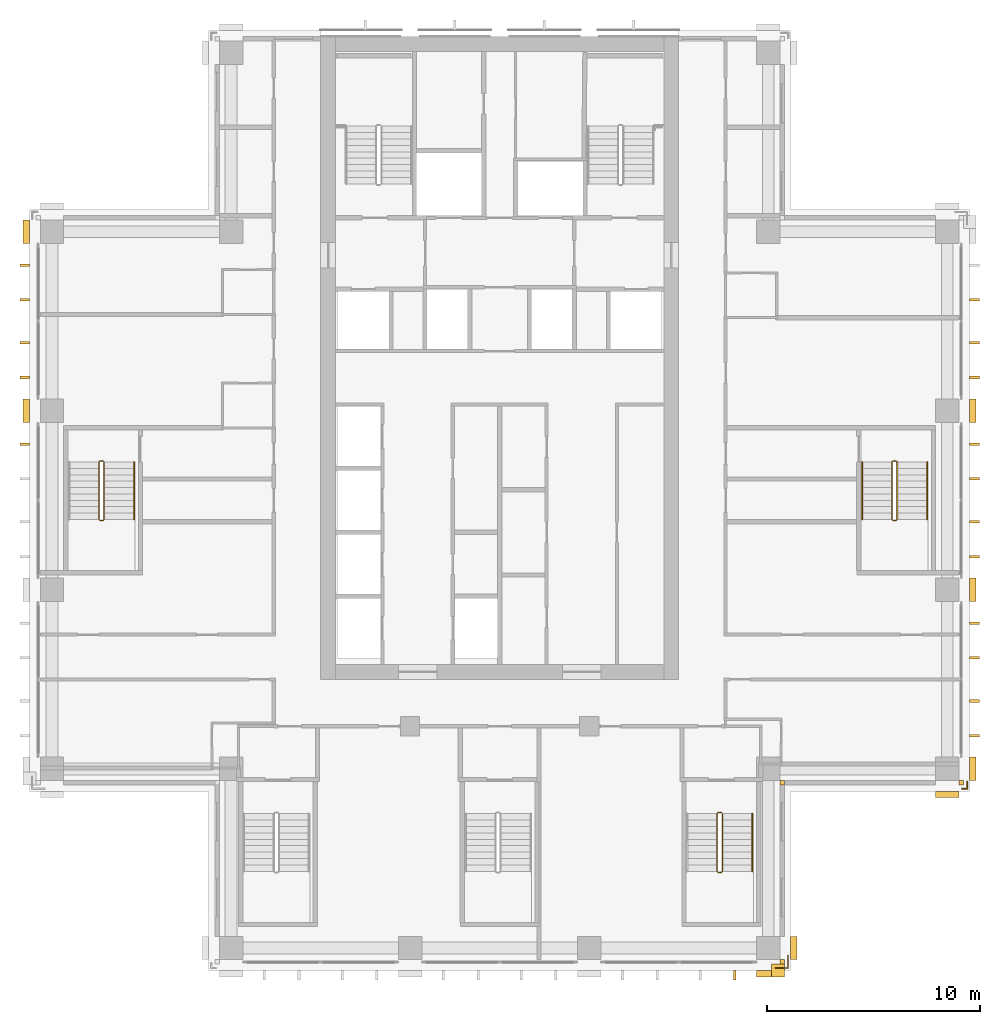
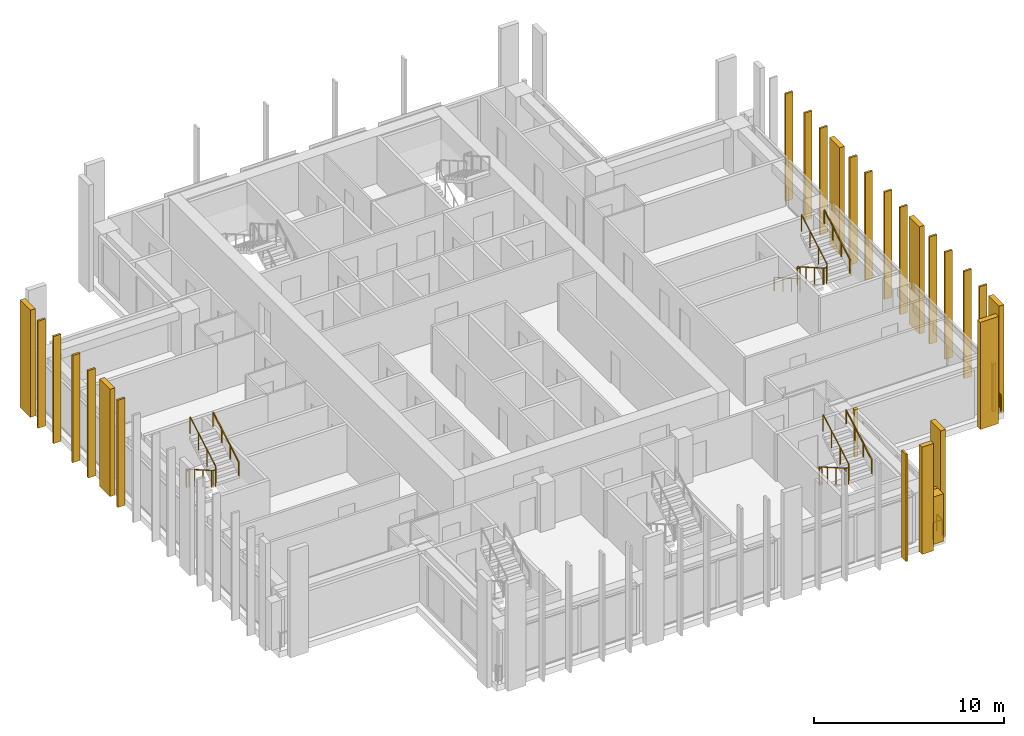
# One storey, part 16 of 17: 29 coverings, 9 railings.
"""IFC4 building model written with IfcOpenShell, lengths in metres."""

from ifc_helpers import new_model, si_unit, direction, frame, origin, origin_2d, place, context, subcontext, project, spatial, polyline, rectangle, outline, extrude, material, layer, layer_set, type_object, element, save


model = new_model("IFC4")

# Units and contexts
model_context = context("Model", 3, precision=1e-05, world=origin(), true_north=direction((0.0, 1.0)))
body_context = subcontext(model_context, "Body", "Model", "MODEL_VIEW")
ifc_project = project(units=[si_unit("LENGTHUNIT", "METRE"), si_unit("AREAUNIT", "SQUARE_METRE"), si_unit("VOLUMEUNIT", "CUBIC_METRE"), si_unit("PLANEANGLEUNIT", "RADIAN"), si_unit("MASSUNIT", "GRAM", prefix="KILO")], contexts=[model_context])

# Site, building, storey
site_placement = place(None, origin())
site = spatial("IfcSite", under=ifc_project, at=site_placement, CompositionType="ELEMENT")
building_placement = place(site_placement, origin())
building = spatial("IfcBuilding", under=site, at=building_placement, Name="Vermilion Ogive Tower", CompositionType="ELEMENT")
storey_placement = place(building_placement, frame((0.0, 0.0, 157.25)))
storey = spatial("IfcBuildingStorey", under=building, at=storey_placement, Name="L40", CompositionType="ELEMENT", Elevation=157.25)

# Coverings
ifc_material_1 = material(Name="Glazed ceramic screen")
ifc_layer = layer(ifc_material_1, 0.14990234375)
ifc_layer_set = layer_set([ifc_layer], Name="Ceramic solar screen fin")
covering_type_1 = type_object("IfcCoveringType", Name="Ceramic solar screen fin", PredefinedType="CLADDING", material=ifc_layer_set)
covering_1_placement = place(storey_placement, frame((0.0, 0.0, -0.39990234375)))
element("IfcCovering", 1, at=covering_1_placement, inside=storey, type_object=covering_type_1, Name="Solar screen blade S022", PredefinedType="CLADDING", context=body_context, shape_type="SweptSolid", body=[
    extrude(outline(polyline([(10.9775390625, -22.5), (11.097412109375, -22.5), (11.097412109375, -22.050048828125), (10.9775390625, -22.050048828125), (10.9775390625, -22.5)])), origin(), (0.0, 0.0, 1.0), 6.89990234375),
])
covering_2_placement = place(storey_placement, frame((0.0, 0.0, -0.39990234375)))
element("IfcCovering", 2, at=covering_2_placement, inside=storey, type_object=covering_type_1, Name="Solar screen blade E971", PredefinedType="CLADDING", context=body_context, shape_type="SweptSolid", body=[
    extrude(outline(polyline([(22.5, -11.097412109375), (22.5, -10.9775390625), (22.050048828125, -10.9775390625), (22.050048828125, -11.097412109375), (22.5, -11.097412109375)])), origin(), (0.0, 0.0, 1.0), 6.89990234375),
])
covering_3_placement = place(storey_placement, frame((0.0, 0.0, -0.39990234375)))
element("IfcCovering", 3, at=covering_3_placement, inside=storey, type_object=covering_type_1, Name="Solar screen blade E972", PredefinedType="CLADDING", context=body_context, shape_type="SweptSolid", body=[
    extrude(outline(polyline([(22.5, -9.472412109375), (22.5, -9.3525390625), (22.050048828125, -9.3525390625), (22.050048828125, -9.472412109375), (22.5, -9.472412109375)])), origin(), (0.0, 0.0, 1.0), 6.89990234375),
])
covering_4_placement = place(storey_placement, frame((0.0, 0.0, -0.39990234375)))
element("IfcCovering", 4, at=covering_4_placement, inside=storey, type_object=covering_type_1, Name="Solar screen blade E981", PredefinedType="CLADDING", context=body_context, shape_type="SweptSolid", body=[
    extrude(outline(polyline([(22.5, -7.447509765625), (22.5, -7.327392578125), (22.050048828125, -7.327392578125), (22.050048828125, -7.447509765625), (22.5, -7.447509765625)])), origin(), (0.0, 0.0, 1.0), 6.89990234375),
])
covering_5_placement = place(storey_placement, frame((0.0, 0.0, -0.39990234375)))
element("IfcCovering", 5, at=covering_5_placement, inside=storey, type_object=covering_type_1, Name="Solar screen blade E982", PredefinedType="CLADDING", context=body_context, shape_type="SweptSolid", body=[
    extrude(outline(polyline([(22.5, -5.822509765625), (22.5, -5.702392578125), (22.050048828125, -5.702392578125), (22.050048828125, -5.822509765625), (22.5, -5.822509765625)])), origin(), (0.0, 0.0, 1.0), 6.89990234375),
])
covering_6_placement = place(storey_placement, frame((0.0, 0.0, -0.39990234375)))
element("IfcCovering", 6, at=covering_6_placement, inside=storey, type_object=covering_type_1, Name="Solar screen blade E991", PredefinedType="CLADDING", context=body_context, shape_type="SweptSolid", body=[
    extrude(outline(polyline([(22.5, -2.697509765625), (22.5, -2.577392578125), (22.050048828125, -2.577392578125), (22.050048828125, -2.697509765625), (22.5, -2.697509765625)])), origin(), (0.0, 0.0, 1.0), 6.89990234375),
])
covering_7_placement = place(storey_placement, frame((0.0, 0.0, -0.39990234375)))
element("IfcCovering", 7, at=covering_7_placement, inside=storey, type_object=covering_type_1, Name="Solar screen blade E992", PredefinedType="CLADDING", context=body_context, shape_type="SweptSolid", body=[
    extrude(outline(polyline([(22.5, -1.072509765625), (22.5, -0.952392578125), (22.050048828125, -0.952392578125), (22.050048828125, -1.072509765625), (22.5, -1.072509765625)])), origin(), (0.0, 0.0, 1.0), 6.89990234375),
])
covering_8_placement = place(storey_placement, frame((0.0, 0.0, -0.39990234375)))
element("IfcCovering", 8, at=covering_8_placement, inside=storey, type_object=covering_type_1, Name="Solar screen blade E001", PredefinedType="CLADDING", context=body_context, shape_type="SweptSolid", body=[
    extrude(outline(polyline([(22.5, 0.952392578125), (22.5, 1.072509765625), (22.050048828125, 1.072509765625), (22.050048828125, 0.952392578125), (22.5, 0.952392578125)])), origin(), (0.0, 0.0, 1.0), 6.89990234375),
])
covering_9_placement = place(storey_placement, frame((0.0, 0.0, -0.39990234375)))
element("IfcCovering", 9, at=covering_9_placement, inside=storey, type_object=covering_type_1, Name="Solar screen blade E002", PredefinedType="CLADDING", context=body_context, shape_type="SweptSolid", body=[
    extrude(outline(polyline([(22.5, 2.577392578125), (22.5, 2.697509765625), (22.050048828125, 2.697509765625), (22.050048828125, 2.577392578125), (22.5, 2.577392578125)])), origin(), (0.0, 0.0, 1.0), 6.89990234375),
])
covering_10_placement = place(storey_placement, frame((0.0, 0.0, -0.39990234375)))
element("IfcCovering", 10, at=covering_10_placement, inside=storey, type_object=covering_type_1, Name="Solar screen blade E011", PredefinedType="CLADDING", context=body_context, shape_type="SweptSolid", body=[
    extrude(outline(polyline([(22.5, 5.702392578125), (22.5, 5.822509765625), (22.050048828125, 5.822509765625), (22.050048828125, 5.702392578125), (22.5, 5.702392578125)])), origin(), (0.0, 0.0, 1.0), 6.89990234375),
])
covering_11_placement = place(storey_placement, frame((0.0, 0.0, -0.39990234375)))
element("IfcCovering", 11, at=covering_11_placement, inside=storey, type_object=covering_type_1, Name="Solar screen blade E012", PredefinedType="CLADDING", context=body_context, shape_type="SweptSolid", body=[
    extrude(outline(polyline([(22.5, 7.327392578125), (22.5, 7.447509765625), (22.050048828125, 7.447509765625), (22.050048828125, 7.327392578125), (22.5, 7.327392578125)])), origin(), (0.0, 0.0, 1.0), 6.89990234375),
])
covering_12_placement = place(storey_placement, frame((0.0, 0.0, -0.39990234375)))
element("IfcCovering", 12, at=covering_12_placement, inside=storey, type_object=covering_type_1, Name="Solar screen blade E021", PredefinedType="CLADDING", context=body_context, shape_type="SweptSolid", body=[
    extrude(outline(polyline([(22.5, 9.3525390625), (22.5, 9.472412109375), (22.050048828125, 9.472412109375), (22.050048828125, 9.3525390625), (22.5, 9.3525390625)])), origin(), (0.0, 0.0, 1.0), 6.89990234375),
])
covering_13_placement = place(storey_placement, frame((0.0, 0.0, -0.39990234375)))
element("IfcCovering", 13, at=covering_13_placement, inside=storey, type_object=covering_type_1, Name="Solar screen blade W011", PredefinedType="CLADDING", context=body_context, shape_type="SweptSolid", body=[
    extrude(outline(polyline([(-22.5, 7.447509765625), (-22.5, 7.327392578125), (-22.050048828125, 7.327392578125), (-22.050048828125, 7.447509765625), (-22.5, 7.447509765625)])), origin(), (0.0, 0.0, 1.0), 6.89990234375),
])
covering_14_placement = place(storey_placement, frame((0.0, 0.0, -0.39990234375)))
element("IfcCovering", 14, at=covering_14_placement, inside=storey, type_object=covering_type_1, Name="Solar screen blade W012", PredefinedType="CLADDING", context=body_context, shape_type="SweptSolid", body=[
    extrude(outline(polyline([(-22.5, 5.822509765625), (-22.5, 5.702392578125), (-22.050048828125, 5.702392578125), (-22.050048828125, 5.822509765625), (-22.5, 5.822509765625)])), origin(), (0.0, 0.0, 1.0), 6.89990234375),
])
covering_15_placement = place(storey_placement, frame((0.0, 0.0, -0.39990234375)))
element("IfcCovering", 15, at=covering_15_placement, inside=storey, type_object=covering_type_1, Name="Solar screen blade W021", PredefinedType="CLADDING", context=body_context, shape_type="SweptSolid", body=[
    extrude(outline(polyline([(-22.5, 11.097412109375), (-22.5, 10.9775390625), (-22.050048828125, 10.9775390625), (-22.050048828125, 11.097412109375), (-22.5, 11.097412109375)])), origin(), (0.0, 0.0, 1.0), 6.89990234375),
])
covering_16_placement = place(storey_placement, frame((0.0, 0.0, -0.39990234375)))
element("IfcCovering", 16, at=covering_16_placement, inside=storey, type_object=covering_type_1, Name="Solar screen blade W022", PredefinedType="CLADDING", context=body_context, shape_type="SweptSolid", body=[
    extrude(outline(polyline([(-22.5, 9.472412109375), (-22.5, 9.3525390625), (-22.050048828125, 9.3525390625), (-22.050048828125, 9.472412109375), (-22.5, 9.472412109375)])), origin(), (0.0, 0.0, 1.0), 6.89990234375),
])
covering_17_placement = place(storey_placement, frame((0.0, 0.0, -0.39990234375)))
element("IfcCovering", 17, at=covering_17_placement, inside=storey, type_object=covering_type_1, Name="Solar screen blade W001", PredefinedType="CLADDING", context=body_context, shape_type="SweptSolid", body=[
    extrude(outline(polyline([(-22.5, 2.697509765625), (-22.5, 2.577392578125), (-22.050048828125, 2.577392578125), (-22.050048828125, 2.697509765625), (-22.5, 2.697509765625)])), origin(), (0.0, 0.0, 1.0), 6.89990234375),
])

# Railings
ifc_material_2 = material(Name="Stainless steel", Category="steel")
railing_type_1 = type_object("IfcRailingType", Name="Slab edge guard SG1", PredefinedType="GUARDRAIL", material=ifc_material_2)
railing_1_placement = place(storey_placement, frame((21.929931640625, -13.199951171875, 0.0)))
element("IfcRailing", 18, at=railing_1_placement, inside=storey, type_object=railing_type_1, Name="L40 slab corner guard", PredefinedType="GUARDRAIL", context=body_context, shape_type="SweptSolid", body=[
    extrude(rectangle(XDim=0.050048828125, YDim=0.050048828125, at=origin_2d()), frame((0.0, 0.0, 1.0751953125), z_axis=(0.0, -1.0, 0.0), x_axis=(1.0, 0.0, 0.0)), (0.0, 0.0, 1.0), 0.330078125),
    extrude(rectangle(XDim=0.050048828125, YDim=0.050048828125, at=origin_2d()), frame((0.0, -0.330078125, 1.0751953125), z_axis=(-1.0, 0.0, 0.0), x_axis=(0.0, -1.0, 0.0)), (0.0, 0.0, 1.0), 0.22998046875),
    extrude(rectangle(XDim=0.050048828125, YDim=0.050048828125, at=origin_2d()), origin(), (0.0, 0.0, 1.0), 1.050048828125),
    extrude(rectangle(XDim=0.050048828125, YDim=0.050048828125, at=origin_2d()), frame((0.0, -0.330078125, 0.0)), (0.0, 0.0, 1.0), 1.050048828125),
    extrude(rectangle(XDim=0.050048828125, YDim=0.050048828125, at=origin_2d()), frame((-0.22998046875, -0.330078125, 0.0)), (0.0, 0.0, 1.0), 1.050048828125),
])
railing_2_placement = place(storey_placement, frame((12.949951171875, -21.929931640625, 0.0)))
element("IfcRailing", 19, at=railing_2_placement, inside=storey, type_object=railing_type_1, Name="L40 slab corner guard", PredefinedType="GUARDRAIL", context=body_context, shape_type="SweptSolid", body=[
    extrude(rectangle(XDim=0.050048828125, YDim=0.050048828125, at=origin_2d()), frame((0.0, 0.0, 1.0751953125), z_axis=(1.0, 0.0, 0.0), x_axis=(0.0, 1.0, 0.0)), (0.0, 0.0, 1.0), 0.580078125),
    extrude(rectangle(XDim=0.050048828125, YDim=0.050048828125, at=origin_2d()), frame((0.580078125, 0.0, 1.0751953125), z_axis=(0.0, 1.0, 0.0), x_axis=(-1.0, 0.0, 0.0)), (0.0, 0.0, 1.0), 0.579833984375),
    extrude(rectangle(XDim=0.050048828125, YDim=0.050048828125, at=origin_2d()), origin(), (0.0, 0.0, 1.0), 1.050048828125),
    extrude(rectangle(XDim=0.050048828125, YDim=0.050048828125, at=origin_2d()), frame((0.580078125, 0.0, 0.0)), (0.0, 0.0, 1.0), 1.050048828125),
    extrude(rectangle(XDim=0.050048828125, YDim=0.050048828125, at=origin_2d()), frame((0.580078125, 0.579833984375, 0.0)), (0.0, 0.0, 1.0), 1.050048828125),
])
ifc_material_3 = material(Name="Steel S355 painted", Category="steel")
railing_type_2 = type_object("IfcRailingType", Name="Stair guard 1100", PredefinedType="GUARDRAIL", material=ifc_material_3)
railing_3_placement = place(storey_placement, frame((10.39990234375, -14.64990234375, 0.0)))
element("IfcRailing", 20, at=railing_3_placement, inside=storey, type_object=railing_type_2, Name="L40 ST5 stair guard 4", PredefinedType="GUARDRAIL", context=body_context, shape_type="SweptSolid", body=[
    extrude(rectangle(XDim=0.048095703125, YDim=0.048095703125, at=origin_2d()), frame((0.0, 0.0, 1.076171875), z_axis=(-1.0, 0.0, 0.0), x_axis=(0.0, -1.0, 0.0)), (0.0, 0.0, 1.0), 0.14990234375),
    extrude(rectangle(XDim=0.048095703125, YDim=0.048095703125, at=origin_2d()), frame((-0.14990234375, 0.0, 1.076171875), z_axis=(-0.268277960024, -0.268277960024, 0.925231793839), x_axis=(0.707106781187, -0.707106781187, 0.0)), (0.0, 0.0, 1.0), 0.1865234375),
    extrude(rectangle(XDim=0.048095703125, YDim=0.048095703125, at=origin_2d()), frame((-0.199951171875, -0.050048828125, 1.24853515625), z_axis=(0.0, -0.866903762492, 0.498475542607), x_axis=(1.0, 0.0, 0.0)), (0.0, 0.0, 1.0), 3.114501953125),
    extrude(rectangle(XDim=0.048095703125, YDim=0.048095703125, at=origin_2d()), frame((-0.199951171875, -2.75, 2.80126953125), z_axis=(0.707106781187, -0.707106781187, 0.0), x_axis=(0.707106781187, 0.707106781187, 0.0)), (0.0, 0.0, 1.0), 0.07080078125),
    extrude(rectangle(XDim=0.048095703125, YDim=0.048095703125, at=origin_2d()), frame((-0.14990234375, -2.800048828125, 2.80126953125), z_axis=(1.0, 0.0, 0.0), x_axis=(0.0, 1.0, 0.0)), (0.0, 0.0, 1.0), 0.14990234375),
    extrude(rectangle(XDim=0.048095703125, YDim=0.048095703125, at=origin_2d()), frame((0.0, -2.800048828125, 2.80126953125), z_axis=(0.268603158521, 0.268603158521, 0.925043072762), x_axis=(-0.707106781187, 0.707106781187, 0.0)), (0.0, 0.0, 1.0), 0.186279296875),
    extrude(rectangle(XDim=0.048095703125, YDim=0.048095703125, at=origin_2d()), frame((0.050048828125, -2.75, 2.9736328125), z_axis=(0.0, 0.866903762492, 0.498475542607), x_axis=(-1.0, 0.0, 0.0)), (0.0, 0.0, 1.0), 3.114501953125),
    extrude(rectangle(XDim=0.0419921875, YDim=0.0419921875, at=origin_2d()), origin(), (0.0, 0.0, 1.0), 1.052001953125),
    extrude(rectangle(XDim=0.0419921875, YDim=0.0419921875, at=origin_2d()), frame((-0.14990234375, 0.0, 0.0)), (0.0, 0.0, 1.0), 1.052001953125),
    extrude(rectangle(XDim=0.0419921875, YDim=0.0419921875, at=origin_2d()), frame((-0.199951171875, -0.050048828125, 0.172607421875)), (0.0, 0.0, 1.0), 1.052001953125),
    extrude(rectangle(XDim=0.0419921875, YDim=0.0419921875, at=origin_2d()), frame((-0.199951171875, -0.949951171875, 0.690185546875)), (0.0, 0.0, 1.0), 1.052001953125),
    extrude(rectangle(XDim=0.0419921875, YDim=0.0419921875, at=origin_2d()), frame((-0.199951171875, -1.85009765625, 1.20751953125)), (0.0, 0.0, 1.0), 1.052001953125),
    extrude(rectangle(XDim=0.0419921875, YDim=0.0419921875, at=origin_2d()), frame((-0.199951171875, -2.75, 1.72509765625)), (0.0, 0.0, 1.0), 1.052001953125),
    extrude(rectangle(XDim=0.0419921875, YDim=0.0419921875, at=origin_2d()), frame((-0.14990234375, -2.800048828125, 1.72509765625)), (0.0, 0.0, 1.0), 1.052001953125),
    extrude(rectangle(XDim=0.0419921875, YDim=0.0419921875, at=origin_2d()), frame((0.0, -2.800048828125, 1.72509765625)), (0.0, 0.0, 1.0), 1.052001953125),
    extrude(rectangle(XDim=0.0419921875, YDim=0.0419921875, at=origin_2d()), frame((0.050048828125, -2.75, 1.8974609375)), (0.0, 0.0, 1.0), 1.052001953125),
    extrude(rectangle(XDim=0.0419921875, YDim=0.0419921875, at=origin_2d()), frame((0.050048828125, -1.85009765625, 2.4150390625)), (0.0, 0.0, 1.0), 1.052001953125),
    extrude(rectangle(XDim=0.0419921875, YDim=0.0419921875, at=origin_2d()), frame((0.050048828125, -0.949951171875, 2.932373046875)), (0.0, 0.0, 1.0), 1.052001953125),
    extrude(rectangle(XDim=0.0419921875, YDim=0.0419921875, at=origin_2d()), frame((0.050048828125, -0.050048828125, 3.449951171875)), (0.0, 0.0, 1.0), 1.052001953125),
])
railing_4_placement = place(storey_placement, frame((18.60009765625, 1.85009765625, 0.0)))
element("IfcRailing", 21, at=railing_4_placement, inside=storey, type_object=railing_type_2, Name="L40 ST8 stair guard 4", PredefinedType="GUARDRAIL", context=body_context, shape_type="SweptSolid", body=[
    extrude(rectangle(XDim=0.048095703125, YDim=0.048095703125, at=origin_2d()), frame((0.0, 0.0, 1.076171875), z_axis=(-1.0, 0.0, 0.0), x_axis=(0.0, -1.0, 0.0)), (0.0, 0.0, 1.0), 0.150146484375),
    extrude(rectangle(XDim=0.048095703125, YDim=0.048095703125, at=origin_2d()), frame((-0.150146484375, 0.0, 1.076171875), z_axis=(-0.268277960024, -0.268277960024, 0.925231793839), x_axis=(0.707106781187, -0.707106781187, 0.0)), (0.0, 0.0, 1.0), 0.1865234375),
    extrude(rectangle(XDim=0.048095703125, YDim=0.048095703125, at=origin_2d()), frame((-0.2001953125, -0.050048828125, 1.24853515625), z_axis=(0.0, -0.866903762492, 0.498475542607), x_axis=(1.0, 0.0, 0.0)), (0.0, 0.0, 1.0), 3.114501953125),
    extrude(rectangle(XDim=0.048095703125, YDim=0.048095703125, at=origin_2d()), frame((-0.2001953125, -2.75, 2.80126953125), z_axis=(0.707106781187, -0.707106781187, 0.0), x_axis=(0.707106781187, 0.707106781187, 0.0)), (0.0, 0.0, 1.0), 0.07080078125),
    extrude(rectangle(XDim=0.048095703125, YDim=0.048095703125, at=origin_2d()), frame((-0.150146484375, -2.800048828125, 2.80126953125), z_axis=(1.0, 0.0, 0.0), x_axis=(0.0, 1.0, 0.0)), (0.0, 0.0, 1.0), 0.150146484375),
    extrude(rectangle(XDim=0.048095703125, YDim=0.048095703125, at=origin_2d()), frame((0.0, -2.800048828125, 2.80126953125), z_axis=(0.267386790225, 0.268697509785, 0.925368009307), x_axis=(-0.708833529934, 0.705375805398, 0.0)), (0.0, 0.0, 1.0), 0.186279296875),
    extrude(rectangle(XDim=0.048095703125, YDim=0.048095703125, at=origin_2d()), frame((0.0498046875, -2.75, 2.9736328125), z_axis=(0.0, 0.866903762492, 0.498475542607), x_axis=(-1.0, 0.0, 0.0)), (0.0, 0.0, 1.0), 3.114501953125),
    extrude(rectangle(XDim=0.0419921875, YDim=0.0419921875, at=origin_2d()), origin(), (0.0, 0.0, 1.0), 1.052001953125),
    extrude(rectangle(XDim=0.0419921875, YDim=0.0419921875, at=origin_2d()), frame((-0.150146484375, 0.0, 0.0)), (0.0, 0.0, 1.0), 1.052001953125),
    extrude(rectangle(XDim=0.0419921875, YDim=0.0419921875, at=origin_2d()), frame((-0.2001953125, -0.050048828125, 0.172607421875)), (0.0, 0.0, 1.0), 1.052001953125),
    extrude(rectangle(XDim=0.0419921875, YDim=0.0419921875, at=origin_2d()), frame((-0.2001953125, -0.949951171875, 0.690185546875)), (0.0, 0.0, 1.0), 1.052001953125),
    extrude(rectangle(XDim=0.0419921875, YDim=0.0419921875, at=origin_2d()), frame((-0.2001953125, -1.85009765625, 1.20751953125)), (0.0, 0.0, 1.0), 1.052001953125),
    extrude(rectangle(XDim=0.0419921875, YDim=0.0419921875, at=origin_2d()), frame((-0.2001953125, -2.75, 1.72509765625)), (0.0, 0.0, 1.0), 1.052001953125),
    extrude(rectangle(XDim=0.0419921875, YDim=0.0419921875, at=origin_2d()), frame((-0.150146484375, -2.800048828125, 1.72509765625)), (0.0, 0.0, 1.0), 1.052001953125),
    extrude(rectangle(XDim=0.0419921875, YDim=0.0419921875, at=origin_2d()), frame((0.0, -2.800048828125, 1.72509765625)), (0.0, 0.0, 1.0), 1.052001953125),
    extrude(rectangle(XDim=0.0419921875, YDim=0.0419921875, at=origin_2d()), frame((0.0498046875, -2.75, 1.8974609375)), (0.0, 0.0, 1.0), 1.052001953125),
    extrude(rectangle(XDim=0.0419921875, YDim=0.0419921875, at=origin_2d()), frame((0.0498046875, -1.85009765625, 2.4150390625)), (0.0, 0.0, 1.0), 1.052001953125),
    extrude(rectangle(XDim=0.0419921875, YDim=0.0419921875, at=origin_2d()), frame((0.0498046875, -0.949951171875, 2.932373046875)), (0.0, 0.0, 1.0), 1.052001953125),
    extrude(rectangle(XDim=0.0419921875, YDim=0.0419921875, at=origin_2d()), frame((0.0498046875, -0.050048828125, 3.449951171875)), (0.0, 0.0, 1.0), 1.052001953125),
])
railing_5_placement = place(storey_placement, frame((-18.60009765625, 1.85009765625, 0.0)))
element("IfcRailing", 22, at=railing_5_placement, inside=storey, type_object=railing_type_2, Name="L40 ST9 stair guard 4", PredefinedType="GUARDRAIL", context=body_context, shape_type="SweptSolid", body=[
    extrude(rectangle(XDim=0.048095703125, YDim=0.048095703125, at=origin_2d()), frame((0.0, 0.0, 1.076171875), z_axis=(-1.0, 0.0, 0.0), x_axis=(0.0, -1.0, 0.0)), (0.0, 0.0, 1.0), 0.14990234375),
    extrude(rectangle(XDim=0.048095703125, YDim=0.048095703125, at=origin_2d()), frame((-0.14990234375, 0.0, 1.076171875), z_axis=(-0.268277960024, -0.268277960024, 0.925231793839), x_axis=(0.707106781187, -0.707106781187, 0.0)), (0.0, 0.0, 1.0), 0.1865234375),
    extrude(rectangle(XDim=0.048095703125, YDim=0.048095703125, at=origin_2d()), frame((-0.199951171875, -0.050048828125, 1.24853515625), z_axis=(0.0, -0.866903762492, 0.498475542607), x_axis=(1.0, 0.0, 0.0)), (0.0, 0.0, 1.0), 3.114501953125),
    extrude(rectangle(XDim=0.048095703125, YDim=0.048095703125, at=origin_2d()), frame((-0.199951171875, -2.75, 2.80126953125), z_axis=(0.707106781187, -0.707106781187, 0.0), x_axis=(0.707106781187, 0.707106781187, 0.0)), (0.0, 0.0, 1.0), 0.07080078125),
    extrude(rectangle(XDim=0.048095703125, YDim=0.048095703125, at=origin_2d()), frame((-0.14990234375, -2.800048828125, 2.80126953125), z_axis=(1.0, 0.0, 0.0), x_axis=(0.0, 1.0, 0.0)), (0.0, 0.0, 1.0), 0.14990234375),
    extrude(rectangle(XDim=0.048095703125, YDim=0.048095703125, at=origin_2d()), frame((0.0, -2.800048828125, 2.80126953125), z_axis=(0.268603158521, 0.268603158521, 0.925043072762), x_axis=(-0.707106781187, 0.707106781187, 0.0)), (0.0, 0.0, 1.0), 0.186279296875),
    extrude(rectangle(XDim=0.048095703125, YDim=0.048095703125, at=origin_2d()), frame((0.050048828125, -2.75, 2.9736328125), z_axis=(0.0, 0.866903762492, 0.498475542607), x_axis=(-1.0, 0.0, 0.0)), (0.0, 0.0, 1.0), 3.114501953125),
    extrude(rectangle(XDim=0.0419921875, YDim=0.0419921875, at=origin_2d()), origin(), (0.0, 0.0, 1.0), 1.052001953125),
    extrude(rectangle(XDim=0.0419921875, YDim=0.0419921875, at=origin_2d()), frame((-0.14990234375, 0.0, 0.0)), (0.0, 0.0, 1.0), 1.052001953125),
    extrude(rectangle(XDim=0.0419921875, YDim=0.0419921875, at=origin_2d()), frame((-0.199951171875, -0.050048828125, 0.172607421875)), (0.0, 0.0, 1.0), 1.052001953125),
    extrude(rectangle(XDim=0.0419921875, YDim=0.0419921875, at=origin_2d()), frame((-0.199951171875, -0.949951171875, 0.690185546875)), (0.0, 0.0, 1.0), 1.052001953125),
    extrude(rectangle(XDim=0.0419921875, YDim=0.0419921875, at=origin_2d()), frame((-0.199951171875, -1.85009765625, 1.20751953125)), (0.0, 0.0, 1.0), 1.052001953125),
    extrude(rectangle(XDim=0.0419921875, YDim=0.0419921875, at=origin_2d()), frame((-0.199951171875, -2.75, 1.72509765625)), (0.0, 0.0, 1.0), 1.052001953125),
    extrude(rectangle(XDim=0.0419921875, YDim=0.0419921875, at=origin_2d()), frame((-0.14990234375, -2.800048828125, 1.72509765625)), (0.0, 0.0, 1.0), 1.052001953125),
    extrude(rectangle(XDim=0.0419921875, YDim=0.0419921875, at=origin_2d()), frame((0.0, -2.800048828125, 1.72509765625)), (0.0, 0.0, 1.0), 1.052001953125),
    extrude(rectangle(XDim=0.0419921875, YDim=0.0419921875, at=origin_2d()), frame((0.050048828125, -2.75, 1.8974609375)), (0.0, 0.0, 1.0), 1.052001953125),
    extrude(rectangle(XDim=0.0419921875, YDim=0.0419921875, at=origin_2d()), frame((0.050048828125, -1.85009765625, 2.4150390625)), (0.0, 0.0, 1.0), 1.052001953125),
    extrude(rectangle(XDim=0.0419921875, YDim=0.0419921875, at=origin_2d()), frame((0.050048828125, -0.949951171875, 2.932373046875)), (0.0, 0.0, 1.0), 1.052001953125),
    extrude(rectangle(XDim=0.0419921875, YDim=0.0419921875, at=origin_2d()), frame((0.050048828125, -0.050048828125, 3.449951171875)), (0.0, 0.0, 1.0), 1.052001953125),
])
ifc_material_4 = material(Name="Stainless steel", Category="steel")
railing_type_3 = type_object("IfcRailingType", Name="Stair handrail 900", PredefinedType="HANDRAIL", material=ifc_material_4)
railing_6_placement = place(storey_placement, frame((11.85009765625, -17.39990234375, 1.8974609375)))
element("IfcRailing", 23, at=railing_6_placement, inside=storey, type_object=railing_type_3, Name="L40 ST5 stair handrail 2", PredefinedType="HANDRAIL", context=body_context, shape_type="SweptSolid", body=[
    extrude(rectangle(XDim=0.048095703125, YDim=0.048095703125, at=origin_2d()), frame((0.0, 0.0, 0.8759765625), z_axis=(0.0, 0.866903762492, 0.498475542607), x_axis=(-1.0, 0.0, 0.0)), (0.0, 0.0, 1.0), 3.114501953125),
    extrude(rectangle(XDim=0.0419921875, YDim=0.0419921875, at=origin_2d()), origin(), (0.0, 0.0, 1.0), 0.851806640625),
    extrude(rectangle(XDim=0.0419921875, YDim=0.0419921875, at=origin_2d()), frame((0.0, 0.89990234375, 0.517578125)), (0.0, 0.0, 1.0), 0.851806640625),
    extrude(rectangle(XDim=0.0419921875, YDim=0.0419921875, at=origin_2d()), frame((0.0, 1.800048828125, 1.034912109375)), (0.0, 0.0, 1.0), 0.851806640625),
    extrude(rectangle(XDim=0.0419921875, YDim=0.0419921875, at=origin_2d()), frame((0.0, 2.699951171875, 1.552490234375)), (0.0, 0.0, 1.0), 0.851806640625),
])
railing_7_placement = place(storey_placement, frame((17.0, 1.800048828125, 0.172607421875)))
element("IfcRailing", 24, at=railing_7_placement, inside=storey, type_object=railing_type_3, Name="L40 ST8 stair handrail 1", PredefinedType="HANDRAIL", context=body_context, shape_type="SweptSolid", body=[
    extrude(rectangle(XDim=0.048095703125, YDim=0.048095703125, at=origin_2d()), frame((0.0, 0.0, 0.8759765625), z_axis=(0.0, -0.866903762492, 0.498475542607), x_axis=(1.0, 0.0, 0.0)), (0.0, 0.0, 1.0), 3.114501953125),
    extrude(rectangle(XDim=0.0419921875, YDim=0.0419921875, at=origin_2d()), origin(), (0.0, 0.0, 1.0), 0.851806640625),
    extrude(rectangle(XDim=0.0419921875, YDim=0.0419921875, at=origin_2d()), frame((0.0, -0.89990234375, 0.517578125)), (0.0, 0.0, 1.0), 0.851806640625),
    extrude(rectangle(XDim=0.0419921875, YDim=0.0419921875, at=origin_2d()), frame((0.0, -1.800048828125, 1.034912109375)), (0.0, 0.0, 1.0), 0.851806640625),
    extrude(rectangle(XDim=0.0419921875, YDim=0.0419921875, at=origin_2d()), frame((0.0, -2.699951171875, 1.552490234375)), (0.0, 0.0, 1.0), 0.851806640625),
])
for number, where, name in (
    (25, (20.050048828125, -0.89990234375, 1.8974609375), "L40 ST8 stair handrail 2"),
    (26, (-17.14990234375, -0.89990234375, 1.8974609375), "L40 ST9 stair handrail 2"),
):
    element("IfcRailing", number, at=place(storey_placement, frame(where)), inside=storey, type_object=railing_type_3, Name=name, PredefinedType="HANDRAIL", context=body_context, shape_type="SweptSolid", body=[
        extrude(rectangle(XDim=0.048095703125, YDim=0.048095703125, at=origin_2d()), frame((0.0, 0.0, 0.8759765625), z_axis=(0.0, 0.866903762492, 0.498475542607), x_axis=(-1.0, 0.0, 0.0)), (0.0, 0.0, 1.0), 3.114501953125),
        extrude(rectangle(XDim=0.0419921875, YDim=0.0419921875, at=origin_2d()), origin(), (0.0, 0.0, 1.0), 0.851806640625),
        extrude(rectangle(XDim=0.0419921875, YDim=0.0419921875, at=origin_2d()), frame((0.0, 0.89990234375, 0.517578125)), (0.0, 0.0, 1.0), 0.851806640625),
        extrude(rectangle(XDim=0.0419921875, YDim=0.0419921875, at=origin_2d()), frame((0.0, 1.800048828125, 1.034912109375)), (0.0, 0.0, 1.0), 0.851806640625),
        extrude(rectangle(XDim=0.0419921875, YDim=0.0419921875, at=origin_2d()), frame((0.0, 2.699951171875, 1.552490234375)), (0.0, 0.0, 1.0), 0.851806640625),
    ])

# Coverings
ifc_material_5 = material(Name="Stone cladding", Category="masonry")
covering_type_2 = type_object("IfcCoveringType", Name="Stone corner buttress", PredefinedType="CLADDING", material=ifc_material_5)
covering_18_placement = place(storey_placement, origin())
element("IfcCovering", 27, at=covering_18_placement, inside=storey, type_object=covering_type_2, Name="Stone crease pier SK", PredefinedType="CLADDING", context=body_context, shape_type="SweptSolid", body=[
    extrude(outline(polyline([(12.75, -22.35009765625), (13.35009765625, -22.35009765625), (13.35009765625, -21.75), (12.75, -21.75), (12.75, -22.35009765625)])), origin(), (0.0, 0.0, 1.0), 3.050048828125),
])
ifc_material_6 = material(Name="Stone cladding", Category="masonry")
covering_type_3 = type_object("IfcCoveringType", Name="Stone pier", PredefinedType="CLADDING", material=ifc_material_6)
covering_19_placement = place(storey_placement, origin())
element("IfcCovering", 28, at=covering_19_placement, inside=storey, type_object=covering_type_3, Name="Stone corner pier SE1", PredefinedType="CLADDING", context=body_context, shape_type="SweptSolid", body=[
    extrude(outline(polyline([(13.14990234375, -21.75), (13.14990234375, -21.550048828125), (13.35009765625, -21.550048828125), (13.35009765625, -21.75), (13.14990234375, -21.75)])), origin(), (0.0, 0.0, 1.0), 3.050048828125),
])
covering_20_placement = place(storey_placement, origin())
element("IfcCovering", 29, at=covering_20_placement, inside=storey, type_object=covering_type_3, Name="Stone corner pier X1E1", PredefinedType="CLADDING", context=body_context, shape_type="SweptSolid", body=[
    extrude(outline(polyline([(13.14990234375, -13.14990234375), (13.35009765625, -13.14990234375), (13.35009765625, -13.35009765625), (13.14990234375, -13.35009765625), (13.14990234375, -13.14990234375)])), origin(), (0.0, 0.0, 1.0), 3.050048828125),
])
covering_21_placement = place(storey_placement, origin())
element("IfcCovering", 30, at=covering_21_placement, inside=storey, type_object=covering_type_3, Name="Stone corner pier X2E1", PredefinedType="CLADDING", context=body_context, shape_type="SweptSolid", body=[
    extrude(outline(polyline([(21.550048828125, -13.35009765625), (21.550048828125, -13.14990234375), (21.75, -13.14990234375), (21.75, -13.35009765625), (21.550048828125, -13.35009765625)])), origin(), (0.0, 0.0, 1.0), 3.050048828125),
])
covering_22_placement = place(storey_placement, frame((0.0, 0.0, -0.39990234375)))
element("IfcCovering", 31, at=covering_22_placement, inside=storey, type_object=covering_type_3, Name="Stone pier P+0126-210S", PredefinedType="CLADDING", context=body_context, shape_type="SweptSolid", body=[
    extrude(outline(polyline([(12.050048828125, -22.35009765625), (12.050048828125, -22.050048828125), (12.75, -22.050048828125), (12.75, -22.35009765625), (12.050048828125, -22.35009765625)])), origin(), (0.0, 0.0, 1.0), 6.89990234375),
])
covering_23_placement = place(storey_placement, frame((0.0, 0.0, -0.39990234375)))
element("IfcCovering", 32, at=covering_23_placement, inside=storey, type_object=covering_type_3, Name="Stone pier P+0126-210X1", PredefinedType="CLADDING", context=body_context, shape_type="SweptSolid", body=[
    extrude(outline(polyline([(13.949951171875, -21.550048828125), (13.64990234375, -21.550048828125), (13.64990234375, -20.449951171875), (13.949951171875, -20.449951171875), (13.949951171875, -21.550048828125)])), origin(), (0.0, 0.0, 1.0), 6.89990234375),
])
covering_24_placement = place(storey_placement, frame((0.0, 0.0, -0.39990234375)))
element("IfcCovering", 33, at=covering_24_placement, inside=storey, type_object=covering_type_3, Name="Stone pier P+0210+042", PredefinedType="CLADDING", context=body_context, shape_type="SweptSolid", body=[
    extrude(outline(polyline([(22.35009765625, 4.75), (22.35009765625, 3.64990234375), (22.050048828125, 3.64990234375), (22.050048828125, 4.75), (22.35009765625, 4.75)])), origin(), (0.0, 0.0, 1.0), 6.89990234375),
])
covering_25_placement = place(storey_placement, frame((0.0, 0.0, -0.39990234375)))
element("IfcCovering", 34, at=covering_25_placement, inside=storey, type_object=covering_type_3, Name="Stone pier P+0210-042", PredefinedType="CLADDING", context=body_context, shape_type="SweptSolid", body=[
    extrude(outline(polyline([(22.35009765625, -3.64990234375), (22.35009765625, -4.75), (22.050048828125, -4.75), (22.050048828125, -3.64990234375), (22.35009765625, -3.64990234375)])), origin(), (0.0, 0.0, 1.0), 6.89990234375),
])
covering_26_placement = place(storey_placement, frame((0.0, 0.0, -0.39990234375)))
element("IfcCovering", 35, at=covering_26_placement, inside=storey, type_object=covering_type_3, Name="Stone pier P+0210-126X2", PredefinedType="CLADDING", context=body_context, shape_type="SweptSolid", body=[
    extrude(outline(polyline([(21.550048828125, -13.949951171875), (20.449951171875, -13.949951171875), (20.449951171875, -13.64990234375), (21.550048828125, -13.64990234375), (21.550048828125, -13.949951171875)])), origin(), (0.0, 0.0, 1.0), 6.89990234375),
])
covering_27_placement = place(storey_placement, frame((0.0, 0.0, -0.39990234375)))
element("IfcCovering", 36, at=covering_27_placement, inside=storey, type_object=covering_type_3, Name="Stone pier P+0210-126E", PredefinedType="CLADDING", context=body_context, shape_type="SweptSolid", body=[
    extrude(outline(polyline([(22.35009765625, -13.14990234375), (22.050048828125, -13.14990234375), (22.050048828125, -12.050048828125), (22.35009765625, -12.050048828125), (22.35009765625, -13.14990234375)])), origin(), (0.0, 0.0, 1.0), 6.89990234375),
])
covering_28_placement = place(storey_placement, frame((0.0, 0.0, -0.39990234375)))
element("IfcCovering", 37, at=covering_28_placement, inside=storey, type_object=covering_type_3, Name="Stone pier P-0210+042", PredefinedType="CLADDING", context=body_context, shape_type="SweptSolid", body=[
    extrude(outline(polyline([(-22.35009765625, 3.64990234375), (-22.35009765625, 4.75), (-22.050048828125, 4.75), (-22.050048828125, 3.64990234375), (-22.35009765625, 3.64990234375)])), origin(), (0.0, 0.0, 1.0), 6.89990234375),
])
covering_29_placement = place(storey_placement, frame((0.0, 0.0, -0.39990234375)))
element("IfcCovering", 38, at=covering_29_placement, inside=storey, type_object=covering_type_3, Name="Stone pier P-0210+126W", PredefinedType="CLADDING", context=body_context, shape_type="SweptSolid", body=[
    extrude(outline(polyline([(-22.35009765625, 13.14990234375), (-22.050048828125, 13.14990234375), (-22.050048828125, 12.050048828125), (-22.35009765625, 12.050048828125), (-22.35009765625, 13.14990234375)])), origin(), (0.0, 0.0, 1.0), 6.89990234375),
])

save(model, "model.ifc")
